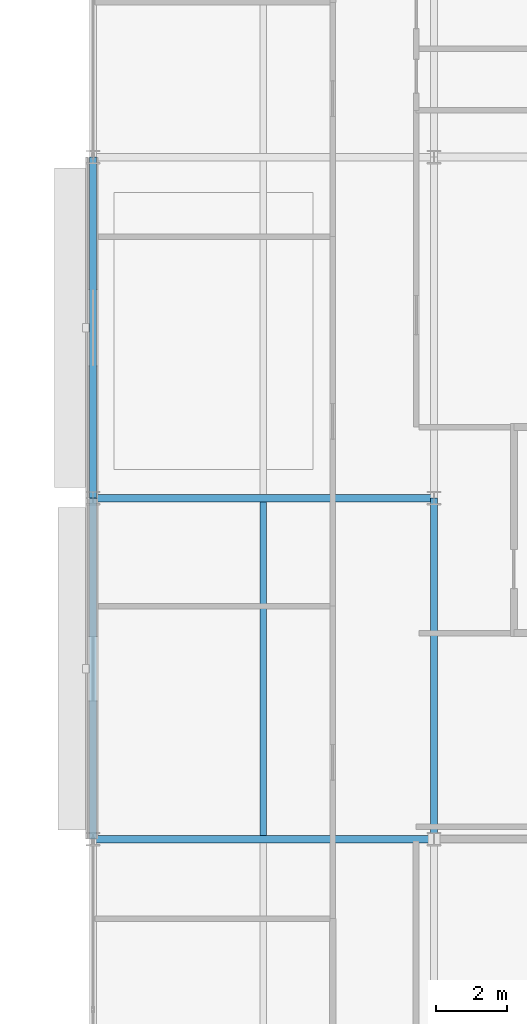
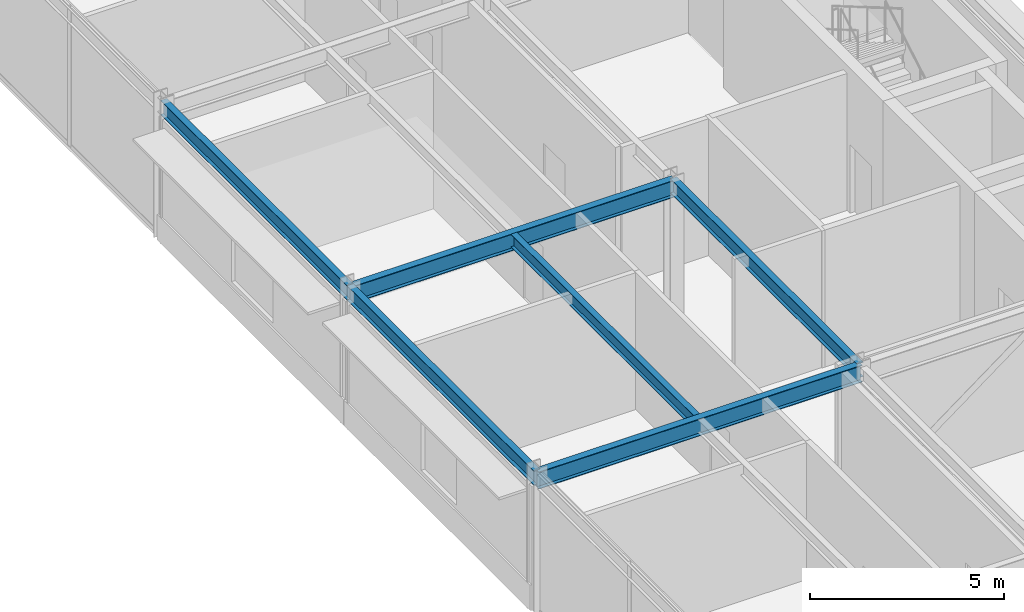
# One storey, part 67 of 116: 6 beams.
"""IFC4 building model written with IfcOpenShell, lengths in metres."""

from ifc_helpers import new_model, si_unit, direction, frame, origin, origin_2d, place, context, subcontext, project, spatial, i_section, extrude, material, material_profile, profile_set, type_object, element, save


model = new_model("IFC4")

# Units and contexts
model_context = context("Model", 3, precision=1e-05, world=origin(), true_north=direction((0.0, 1.0)))
body_context = subcontext(model_context, "Body", "Model", "MODEL_VIEW")
ifc_project = project(units=[si_unit("LENGTHUNIT", "METRE"), si_unit("AREAUNIT", "SQUARE_METRE"), si_unit("VOLUMEUNIT", "CUBIC_METRE"), si_unit("PLANEANGLEUNIT", "RADIAN"), si_unit("MASSUNIT", "GRAM", prefix="KILO")], contexts=[model_context])

# Site, building, storey
site_placement = place(None, origin())
site = spatial("IfcSite", under=ifc_project, at=site_placement, CompositionType="ELEMENT")
building_placement = place(site_placement, origin())
building = spatial("IfcBuilding", under=site, at=building_placement, Name="Almandine Court Research Institute", CompositionType="ELEMENT")
storey_placement = place(building_placement, frame((0.0, 0.0, 14.35009765625)))
storey = spatial("IfcBuildingStorey", under=building, at=storey_placement, Name="L03", CompositionType="ELEMENT", Elevation=14.35009765625)

# Beams
ifc_material = material(Name="Steel ASTM A992 Grade 50", Category="steel")
ifc_material_profile_1 = material_profile(ifc_material, i_section(OverallWidth=0.18994140625, OverallDepth=0.45703125, WebThickness=0.009033203125, FlangeThickness=0.014892578125, at=origin_2d()), Name="W460x74")
ifc_profile_set_1 = profile_set([ifc_material_profile_1], Name="Steel ASTM A992 Grade 50")
beam_type_1 = type_object("IfcBeamType", Name="Beam-B-01", PredefinedType="BEAM", material=ifc_profile_set_1)
for number, where, z_axis, x_axis, name in (
    (1, (153.60009765625, 15.60009765625, 4.140869140625), (0.0, 1.0, 0.0), (-1.0, 0.0, 0.0), "L03 V4 Primary Y Girder"),
    (2, (163.199951171875, 15.60009765625, 4.140869140625), (0.0, 1.0, 0.0), (-1.0, 0.0, 0.0), "L03 V4 Primary Y Girder"),
):
    element("IfcBeam", number, at=place(storey_placement, frame(where, z_axis=z_axis, x_axis=x_axis)), inside=storey, type_object=beam_type_1, Name=name, PredefinedType="BEAM", context=body_context, shape_type="SweptSolid", body=[
        extrude(i_section(OverallWidth=0.18994140625, OverallDepth=0.45703125, WebThickness=0.009033203125, FlangeThickness=0.014892578125, at=origin_2d()), origin(), (0.0, 0.0, 1.0), 9.599853515625),
    ])
beam_1_placement = place(storey_placement, frame((153.60009765625, 25.199951171875, 4.140869140625), z_axis=(0.0, 1.0, 0.0), x_axis=(-1.0, 0.0, 0.0)))
element("IfcBeam", 3, at=beam_1_placement, inside=storey, type_object=beam_type_1, Name="L03 V4 Primary Y Girder", PredefinedType="BEAM", context=body_context, shape_type="SweptSolid", body=[
    extrude(i_section(OverallWidth=0.18994140625, OverallDepth=0.45703125, WebThickness=0.009033203125, FlangeThickness=0.014892578125, at=origin_2d()), origin(), (0.0, 0.0, 1.0), 9.60009765625),
])
ifc_material_profile_2 = material_profile(ifc_material, i_section(OverallWidth=0.178955078125, OverallDepth=0.409912109375, WebThickness=0.009033203125, FlangeThickness=0.013916015625, at=origin_2d()), Name="W410x67")
ifc_profile_set_2 = profile_set([ifc_material_profile_2], Name="Steel ASTM A992 Grade 50")
beam_type_2 = type_object("IfcBeamType", Name="Beam-B-02", PredefinedType="JOIST", material=ifc_profile_set_2)
beam_2_placement = place(storey_placement, frame((158.39990234375, 15.7041015625, 4.164794921875), z_axis=(0.0, 1.0, 0.0), x_axis=(-1.0, 0.0, 0.0)))
element("IfcBeam", 4, at=beam_2_placement, inside=storey, type_object=beam_type_2, Name="L03 V4 Composite Secondary Beam", PredefinedType="JOIST", context=body_context, shape_type="SweptSolid", body=[
    extrude(i_section(OverallWidth=0.178955078125, OverallDepth=0.409912109375, WebThickness=0.009033203125, FlangeThickness=0.013916015625, at=origin_2d()), origin(), (0.0, 0.0, 1.0), 9.391845703125),
])
ifc_material_profile_3 = material_profile(ifc_material, i_section(OverallWidth=0.2109375, OverallDepth=0.5390625, WebThickness=0.011962890625, FlangeThickness=0.01904296875, at=origin_2d()), Name="W530x109")
ifc_profile_set_3 = profile_set([ifc_material_profile_3], Name="Steel ASTM A992 Grade 50")
beam_type_3 = type_object("IfcBeamType", Name="Beam-G-04", PredefinedType="BEAM", material=ifc_profile_set_3)
for number, where, z_axis, x_axis, name in (
    (5, (153.60009765625, 15.60009765625, 4.099853515625), (1.0, 0.0, 0.0), (0.0, 1.0, 0.0), "L03 V4 Primary X Girder"),
    (6, (153.60009765625, 25.199951171875, 4.099853515625), (1.0, 0.0, 0.0), (0.0, 1.0, 0.0), "L03 V4 Primary X Girder"),
):
    element("IfcBeam", number, at=place(storey_placement, frame(where, z_axis=z_axis, x_axis=x_axis)), inside=storey, type_object=beam_type_3, Name=name, PredefinedType="BEAM", context=body_context, shape_type="SweptSolid", body=[
        extrude(i_section(OverallWidth=0.2109375, OverallDepth=0.5390625, WebThickness=0.011962890625, FlangeThickness=0.01904296875, at=origin_2d()), origin(), (0.0, 0.0, 1.0), 9.599853515625),
    ])

save(model, "model.ifc")
